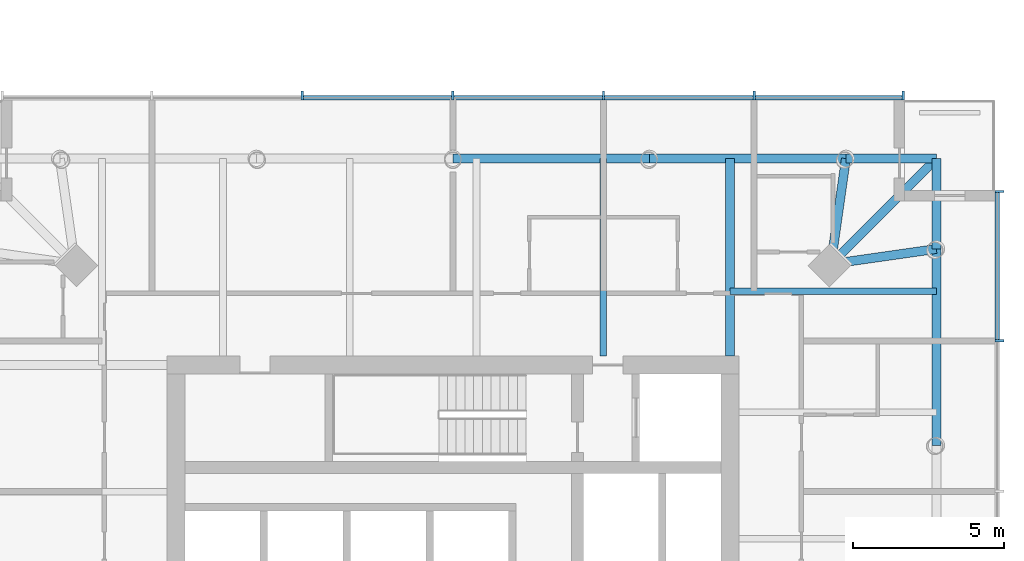
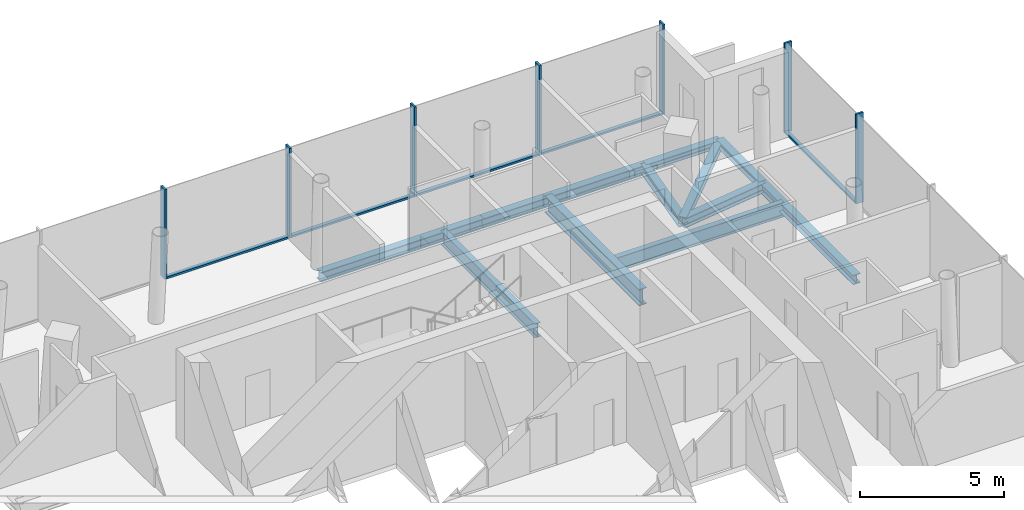
# One storey, part 6 of 27: 12 members, 11 beams, 2 elements without a shape of their own.
"""IFC4 building model written with IfcOpenShell, lengths in metres."""

import ifcopenshell
import ifcopenshell.guid

model = None  # the IFC model being written
_history = None  # IfcOwnerHistory: only IFC2X3 demands one
_inside = {}  # id of a spatial element -> (the spatial element, [elements in it])
_under = {}  # id of a project, library or spatial element -> (it, [spatial elements below it])
_declared = {}  # id of a project -> (the project, [libraries it declares])
_typed = {}  # id of a type object -> (the type object, [elements of that type])
_made_of = {}  # id of a material, layer set ... -> (it, [elements and type objects made of it])


def new_model(schema):
    """Start an empty IFC model of exactly this schema.

    Asked for "IFC4X3", IfcOpenShell would pick the latest addendum, in which some entities
    have other attributes; the version numbers below select the first issue.
    IFC2X3 requires an IfcOwnerHistory on every rooted entity: one is made here for all.
    """
    global model, _history
    if schema == "IFC4X3":
        model = ifcopenshell.file(schema_version=(4, 3, 0, 0))
    else:
        model = ifcopenshell.file(schema=schema)
    _inside.clear()
    _under.clear()
    _declared.clear()
    _typed.clear()
    _made_of.clear()
    _history = None
    if model.schema == "IFC2X3":
        org = make("IfcOrganization", Name="unknown")
        user = make(
            "IfcPersonAndOrganization",
            ThePerson=make("IfcPerson", FamilyName="unknown"),
            TheOrganization=org,
        )
        app = make(
            "IfcApplication",
            ApplicationDeveloper=org,
            Version="unknown",
            ApplicationFullName="unknown",
            ApplicationIdentifier="unknown",
        )
        _history = make(
            "IfcOwnerHistory",
            OwningUser=user,
            OwningApplication=app,
            ChangeAction="ADDED",
            CreationDate=0,
        )
    return model


def make(cls, **values):
    """One entity of the class cls with the attributes given. An attribute that is None is left unset."""
    return model.create_entity(
        cls, **{name: value for name, value in values.items() if value is not None}
    )


def rooted(cls, **values):
    """An entity with a GlobalId (a new one), such as an element, a storey or a relation."""
    return make(cls, GlobalId=ifcopenshell.guid.new(), OwnerHistory=_history, **values)


def si_unit(unit_type, name, prefix=None):
    """IfcSIUnit, for example si_unit("LENGTHUNIT", "METRE", prefix="MILLI")."""
    return make("IfcSIUnit", UnitType=unit_type, Prefix=prefix, Name=name)


def assignment(units):
    """IfcUnitAssignment: the units of a project."""
    return None if units is None else make("IfcUnitAssignment", Units=units)


def point(xyz):
    """IfcCartesianPoint."""
    return None if xyz is None else make("IfcCartesianPoint", Coordinates=xyz)


def direction(xyz):
    """IfcDirection."""
    return None if xyz is None else make("IfcDirection", DirectionRatios=xyz)


def frame(location, z_axis=None, x_axis=None):
    """IfcAxis2Placement3D, a coordinate frame: its origin and axes. An axis left out is left unset."""
    return make(
        "IfcAxis2Placement3D",
        Location=point(location),
        Axis=direction(z_axis),
        RefDirection=direction(x_axis),
    )


def frame_2d(location, x_axis=None):
    """IfcAxis2Placement2D, a coordinate frame in the plane: its origin and x axis."""
    return make(
        "IfcAxis2Placement2D", Location=point(location), RefDirection=direction(x_axis)
    )


def origin():
    """The frame at (0, 0, 0) with its axes left unset."""
    return frame((0.0, 0.0, 0.0))


def origin_2d():
    """The frame at (0, 0) in the plane with its x axis left unset."""
    return frame_2d((0.0, 0.0))


def place(relative_to, where):
    """IfcLocalPlacement: puts the frame where relative to a parent placement (None: the world)."""
    return make(
        "IfcLocalPlacement", PlacementRelTo=relative_to, RelativePlacement=where
    )


def context(
    kind, dimensions, precision=None, world=None, true_north=None, identifier=None
):
    """IfcGeometricRepresentationContext, for example the 3D "Model" context."""
    return make(
        "IfcGeometricRepresentationContext",
        ContextIdentifier=identifier,
        ContextType=kind,
        CoordinateSpaceDimension=dimensions,
        Precision=precision,
        WorldCoordinateSystem=world,
        TrueNorth=true_north,
    )


def subcontext(parent, identifier, kind, view, scale=None):
    """IfcGeometricRepresentationSubContext, for example "Body" below "Model"."""
    return make(
        "IfcGeometricRepresentationSubContext",
        ContextIdentifier=identifier,
        ContextType=kind,
        ParentContext=parent,
        TargetScale=scale,
        TargetView=view,
    )


def project(units=None, contexts=None):
    """IfcProject with its units and contexts."""
    return rooted(
        "IfcProject",
        Name="project",
        RepresentationContexts=contexts,
        UnitsInContext=assignment(units),
    )


def spatial(cls, under=None, at=None, **own):
    """A site, building, storey or space (cls), placed at a placement, below another one or the project."""
    s = rooted(cls, ObjectPlacement=at, **own)
    if under is not None:
        _under.setdefault(under.id(), (under, []))[1].append(s)
    return s


def profile(cls, at=None, kind="AREA", **sizes):
    """A parametric profile (cls). Its sizes go by their IFC names, for example OverallWidth=200.0."""
    return make(cls, ProfileType=kind, Position=at, **sizes)


def rectangle(**sizes):
    """IfcRectangleProfileDef."""
    return profile("IfcRectangleProfileDef", **sizes)


def i_section(**sizes):
    """IfcIShapeProfileDef."""
    return profile("IfcIShapeProfileDef", **sizes)


def extrude(swept, where, along, depth):
    """IfcExtrudedAreaSolid: the profile swept, set in the frame where, extruded along a direction by depth."""
    return make(
        "IfcExtrudedAreaSolid",
        SweptArea=swept,
        Position=where,
        ExtrudedDirection=direction(along),
        Depth=depth,
    )


def shape(context_of_items, identifier, shape_type, items):
    """IfcShapeRepresentation: the items that make up one representation, for example the "Body"."""
    return make(
        "IfcShapeRepresentation",
        ContextOfItems=context_of_items,
        RepresentationIdentifier=identifier,
        RepresentationType=shape_type,
        Items=items,
    )


def material(Name=None, Category=None):
    """IfcMaterial."""
    return make("IfcMaterial", Name=Name, Category=Category)


def material_profile(
    of_material, cross_section, Name=None, Category=None, Priority=None
):
    """IfcMaterialProfile: a cross section and its material."""
    return make(
        "IfcMaterialProfile",
        Name=Name,
        Material=of_material,
        Profile=cross_section,
        Priority=Priority,
        Category=Category,
    )


def profile_set(profiles, Name=None, composite=None):
    """IfcMaterialProfileSet."""
    return make(
        "IfcMaterialProfileSet",
        Name=Name,
        MaterialProfiles=profiles,
        CompositeProfile=composite,
    )


def made_of(thing, what):
    """Note that an element or type object is made of a material, layer set ...; save() writes the relation."""
    if what is not None:
        _made_of.setdefault(what.id(), (what, []))[1].append(thing)
    return thing


def type_object(cls, material=None, **own):
    """A type object (cls), such as IfcWallType, which elements share."""
    return made_of(rooted(cls, **own), material)


def element(
    cls,
    number,
    at=None,
    inside=None,
    cuts=None,
    type_object=None,
    material=None,
    context=None,
    identifier="Body",
    shape_type=None,
    held_by="IfcProductDefinitionShape",
    body=None,
    shapes=None,
    **own,
):
    """One element of the class cls, such as IfcWall. Its Tag is "e" and its number.

    at: its placement. inside: the storey or other place that contains it. cuts: it is an
    opening in that element (IfcRelVoidsElement). A single representation is given by context,
    identifier, shape_type and body (its items); several are given by shapes. held_by: the class
    of the entity that holds the representations. save() writes the other relations.
    """
    e = rooted(cls, Tag="e%d" % number, ObjectPlacement=at, **own)
    if body is not None:
        shapes = [shape(context, identifier, shape_type, body)]
    if shapes is not None:
        e.Representation = make(held_by, Representations=shapes)
    if inside is not None:
        _inside.setdefault(inside.id(), (inside, []))[1].append(e)
    if cuts is not None:
        rooted(
            "IfcRelVoidsElement", RelatingBuildingElement=cuts, RelatedOpeningElement=e
        )
    if type_object is not None:
        _typed.setdefault(type_object.id(), (type_object, []))[1].append(e)
    return made_of(e, material)


def aggregate(whole, parts):
    """IfcRelAggregates: a whole, such as a stair, and the parts it consists of."""
    return rooted("IfcRelAggregates", RelatingObject=whole, RelatedObjects=parts)


def save(model, path):
    """Write the relations noted so far, then the file.

    IfcRelAggregates (storeys below a building ...), IfcRelContainedInSpatialStructure (elements
    in a storey), IfcRelDefinesByType, IfcRelAssociatesMaterial and IfcRelDeclares: one each for
    every whole, place, type object, material and project.
    """
    for whole, parts in _under.values():
        aggregate(whole, parts)
    for where, things in _inside.values():
        rooted(
            "IfcRelContainedInSpatialStructure",
            RelatedElements=things,
            RelatingStructure=where,
        )
    for kind, things in _typed.values():
        rooted("IfcRelDefinesByType", RelatedObjects=things, RelatingType=kind)
    for what, things in _made_of.values():
        rooted("IfcRelAssociatesMaterial", RelatedObjects=things, RelatingMaterial=what)
    for by, libraries in _declared.values():
        rooted("IfcRelDeclares", RelatingContext=by, RelatedDefinitions=libraries)
    model.write(path)


model = new_model("IFC4")

# Units and contexts
model_context = context("Model", 3, precision=1e-05, world=origin(), true_north=direction((0.0, 1.0)))
body_context = subcontext(model_context, "Body", "Model", "MODEL_VIEW")
ifc_project = project(units=[si_unit("LENGTHUNIT", "METRE"), si_unit("AREAUNIT", "SQUARE_METRE"), si_unit("VOLUMEUNIT", "CUBIC_METRE"), si_unit("PLANEANGLEUNIT", "RADIAN"), si_unit("MASSUNIT", "GRAM", prefix="KILO")], contexts=[model_context])

# Site, building, storey
site_placement = place(None, origin())
site = spatial("IfcSite", under=ifc_project, at=site_placement, CompositionType="ELEMENT")
building_placement = place(site_placement, origin())
building = spatial("IfcBuilding", under=site, at=building_placement, Name="Ostroluk Exchange", CompositionType="ELEMENT")
storey_placement = place(building_placement, frame((0.0, 0.0, 89.39990234375)))
storey = spatial("IfcBuildingStorey", under=building, at=storey_placement, Name="L22", CompositionType="ELEMENT", Elevation=89.39990234375)

# Beams
ifc_material_1 = material(Name="Steel S355", Category="steel")
ifc_material_profile_1 = material_profile(ifc_material_1, i_section(OverallWidth=0.300048828125, OverallDepth=0.300048828125, WebThickness=0.010986328125, FlangeThickness=0.01904296875, FilletRadius=0.027099609375, at=origin_2d()), Name="HEB 300")
ifc_profile_set_1 = profile_set([ifc_material_profile_1], Name="Steel S355")
beam_type_1 = type_object("IfcBeamType", Name="Balcony beam HEB 300", PredefinedType="BEAM", material=ifc_profile_set_1)
for number, where, z_axis, x_axis, name in (
    (1, (133.0517578125, 59.0517578125, -0.349853515625), (0.0, 1.0, 0.0), (-1.0, 0.0, 0.0), "T2 east balcony beam a"),
    (2, (130.0517578125, 62.0517578125, -0.349853515625), (1.0, 0.0, 0.0), (0.0, 1.0, 0.0), "T2 east balcony beam b"),
):
    element("IfcBeam", number, at=place(storey_placement, frame(where, z_axis=z_axis, x_axis=x_axis)), inside=storey, type_object=beam_type_1, Name=name, PredefinedType="BEAM", context=body_context, shape_type="SweptSolid", body=[
        extrude(i_section(OverallWidth=0.300048828125, OverallDepth=0.300048828125, WebThickness=0.010986328125, FlangeThickness=0.01904296875, FilletRadius=0.027099609375, at=origin_2d()), origin(), (0.0, 0.0, 1.0), 3.0),
    ])
beam_1_placement = place(storey_placement, frame((129.5517578125, 58.5517578125, -0.349853515625), z_axis=(0.707106781187, 0.707106781187, 0.0), x_axis=(-0.707106781187, 0.707106781187, 0.0)))
element("IfcBeam", 3, at=beam_1_placement, inside=storey, type_object=beam_type_1, Name="T2 east balcony beam c", PredefinedType="BEAM", context=body_context, shape_type="SweptSolid", body=[
    extrude(i_section(OverallWidth=0.300048828125, OverallDepth=0.300048828125, WebThickness=0.010986328125, FlangeThickness=0.01904296875, FilletRadius=0.027099609375, at=origin_2d()), origin(), (0.0, 0.0, 1.0), 4.94970703125),
])
ifc_material_2 = material(Name="Steel S355", Category="steel")
ifc_material_profile_2 = material_profile(ifc_material_2, i_section(OverallWidth=0.300048828125, OverallDepth=0.39990234375, WebThickness=0.013427734375, FlangeThickness=0.02392578125, FilletRadius=0.027099609375, at=origin_2d()), Name="HEB 400")
ifc_profile_set_2 = profile_set([ifc_material_profile_2], Name="Steel S355")
beam_type_2 = type_object("IfcBeamType", Name="Corner edge beam HEB 400", PredefinedType="SPANDREL", material=ifc_profile_set_2)
for number, where, z_axis, x_axis, name in (
    (4, (129.5517578125, 58.5517578125, -0.39990234375), (0.989949493661, 0.141421356237, 0.0), (-0.141421356237, 0.989949493661, 0.0), "T2 east corner edge beam a"),
    (5, (129.5517578125, 58.5517578125, -0.39990234375), (0.141421356237, 0.989949493661, 0.0), (-0.989949493661, 0.141421356237, 0.0), "T2 east corner edge beam b"),
):
    element("IfcBeam", number, at=place(storey_placement, frame(where, z_axis=z_axis, x_axis=x_axis)), inside=storey, type_object=beam_type_2, Name=name, PredefinedType="SPANDREL", context=body_context, shape_type="SweptSolid", body=[
        extrude(i_section(OverallWidth=0.300048828125, OverallDepth=0.39990234375, WebThickness=0.013427734375, FlangeThickness=0.02392578125, FilletRadius=0.027099609375, at=origin_2d()), origin(), (0.0, 0.0, 1.0), 3.53564453125),
    ])
ifc_material_3 = material(Name="Steel S355", Category="steel")
ifc_material_profile_3 = material_profile(ifc_material_3, i_section(OverallWidth=0.219970703125, OverallDepth=0.60009765625, WebThickness=0.011962890625, FlangeThickness=0.01904296875, FilletRadius=0.02392578125, at=origin_2d()), Name="IPE 600")
ifc_profile_set_3 = profile_set([ifc_material_profile_3], Name="Steel S355")
beam_type_3 = type_object("IfcBeamType", Name="Floor beam IPE 600", PredefinedType="BEAM", material=ifc_profile_set_3)
beam_2_placement = place(storey_placement, frame((126.199951171875, 57.651611328125, -0.5), z_axis=(1.0, 0.0, 0.0), x_axis=(0.0, 1.0, 0.0)))
element("IfcBeam", 6, at=beam_2_placement, inside=storey, type_object=beam_type_3, Name="T2 east floor beam 5", PredefinedType="BEAM", context=body_context, shape_type="SweptSolid", body=[
    extrude(i_section(OverallWidth=0.219970703125, OverallDepth=0.60009765625, WebThickness=0.011962890625, FlangeThickness=0.01904296875, FilletRadius=0.02392578125, at=origin_2d()), origin(), (0.0, 0.0, 1.0), 6.851806640625),
])
beam_3_placement = place(storey_placement, frame((121.991455078125, 55.5, -0.5), z_axis=(0.0, 1.0, 0.0), x_axis=(-1.0, 0.0, 0.0)))
element("IfcBeam", 7, at=beam_3_placement, inside=storey, type_object=beam_type_3, Name="T2 north floor beam 1", PredefinedType="BEAM", context=body_context, shape_type="SweptSolid", body=[
    extrude(i_section(OverallWidth=0.219970703125, OverallDepth=0.60009765625, WebThickness=0.011962890625, FlangeThickness=0.01904296875, FilletRadius=0.02392578125, at=origin_2d()), origin(), (0.0, 0.0, 1.0), 6.5517578125),
])
ifc_material_4 = material(Name="Steel S355", Category="steel")
ifc_material_profile_4 = material_profile(ifc_material_4, i_section(OverallWidth=0.300048828125, OverallDepth=0.699951171875, WebThickness=0.01708984375, FlangeThickness=0.031982421875, FilletRadius=0.027099609375, at=origin_2d()), Name="HEB 700")
ifc_profile_set_4 = profile_set([ifc_material_profile_4], Name="Steel S355")
beam_type_4 = type_object("IfcBeamType", Name="Girder HEB 700", PredefinedType="BEAM", material=ifc_profile_set_4)
beam_4_placement = place(storey_placement, frame((126.199951171875, 55.5, -0.5498046875), z_axis=(0.0, 1.0, 0.0), x_axis=(-1.0, 0.0, 0.0)))
element("IfcBeam", 8, at=beam_4_placement, inside=storey, type_object=beam_type_4, Name="T2 east girder", PredefinedType="BEAM", context=body_context, shape_type="SweptSolid", body=[
    extrude(i_section(OverallWidth=0.300048828125, OverallDepth=0.699951171875, WebThickness=0.01708984375, FlangeThickness=0.031982421875, FilletRadius=0.027099609375, at=origin_2d()), origin(), (0.0, 0.0, 1.0), 6.5517578125),
])
ifc_material_5 = material(Name="Steel S355", Category="steel")
ifc_material_profile_5 = material_profile(ifc_material_5, i_section(OverallWidth=0.300048828125, OverallDepth=0.39990234375, WebThickness=0.013427734375, FlangeThickness=0.02392578125, FilletRadius=0.027099609375, at=origin_2d()), Name="HEB 400")
ifc_profile_set_5 = profile_set([ifc_material_profile_5], Name="Steel S355")
beam_type_5 = type_object("IfcBeamType", Name="Moment-connected edge beam HEB 400", PredefinedType="SPANDREL", material=ifc_profile_set_5)
for number, where, z_axis, x_axis, name in (
    (9, (133.0517578125, 52.52587890625, -0.39990234375), (0.0, 1.0, 0.0), (-1.0, 0.0, 0.0), "T2 east edge beam 4"),
    (10, (130.0517578125, 62.0517578125, -0.39990234375), (-1.0, 0.0, 0.0), (0.0, -1.0, 0.0), "T2 north edge beam 1"),
    (11, (123.52587890625, 62.0517578125, -0.39990234375), (-1.0, 0.0, 0.0), (0.0, -1.0, 0.0), "T2 north edge beam 2"),
):
    element("IfcBeam", number, at=place(storey_placement, frame(where, z_axis=z_axis, x_axis=x_axis)), inside=storey, type_object=beam_type_5, Name=name, PredefinedType="SPANDREL", context=body_context, shape_type="SweptSolid", body=[
        extrude(i_section(OverallWidth=0.300048828125, OverallDepth=0.39990234375, WebThickness=0.013427734375, FlangeThickness=0.02392578125, FilletRadius=0.027099609375, at=origin_2d()), origin(), (0.0, 0.0, 1.0), 6.52587890625),
    ])

# Curtain wall, member
ifc_material_6 = material(Name="Laminated clear glass", Category="glass")
curtain_wall_type = type_object("IfcCurtainWallType", Name="Hotel guest floor facade", PredefinedType="USERDEFINED", material=ifc_material_6)
curtain_wall_1_placement = place(storey_placement, origin())
curtain_wall_1 = element("IfcCurtainWall", 12, at=curtain_wall_1_placement, inside=storey, type_object=curtain_wall_type, Name="Hotel tower east facade L22", ObjectType="UNITISED CURTAIN WALL", PredefinedType="USERDEFINED")
ifc_material_7 = material(Name="Aluminium mullion", Category="aluminium")
ifc_material_profile_6 = material_profile(ifc_material_7, rectangle(XDim=0.14990234375, YDim=0.080078125, at=origin_2d()), Name="Sill transom 80 x 150")
ifc_profile_set_6 = profile_set([ifc_material_profile_6], Name="Aluminium mullion")
member_type_1 = type_object("IfcMemberType", Name="Sill transom 80 x 150", PredefinedType="USERDEFINED", material=ifc_profile_set_6)
member_1_placement = place(storey_placement, frame((135.074951171875, 56.0400390625, 0.0400390625), z_axis=(0.0, 1.0, 0.0), x_axis=(-1.0, 0.0, 0.0)))
member_1 = element("IfcMember", 13, at=member_1_placement, type_object=member_type_1, Name="CW-H1 transom 6.1", ObjectType="TRANSOM", PredefinedType="USERDEFINED", context=body_context, shape_type="SweptSolid", body=[
    extrude(rectangle(XDim=0.14990234375, YDim=0.080078125, at=origin_2d()), origin(), (0.0, 0.0, 1.0), 4.8798828125),
])

# Curtain wall, members
curtain_wall_2_placement = place(storey_placement, origin())
curtain_wall_2 = element("IfcCurtainWall", 14, at=curtain_wall_2_placement, inside=storey, type_object=curtain_wall_type, Name="Hotel tower north facade L22", ObjectType="UNITISED CURTAIN WALL", PredefinedType="USERDEFINED")
member_2_placement = place(storey_placement, frame((131.919921875, 64.074951171875, 0.0400390625), z_axis=(-1.0, 0.0, 0.0), x_axis=(0.0, -1.0, 0.0)))
member_2 = element("IfcMember", 15, at=member_2_placement, type_object=member_type_1, Name="CW-H1 transom 1.1", ObjectType="TRANSOM", PredefinedType="USERDEFINED", context=body_context, shape_type="SweptSolid", body=[
    extrude(rectangle(XDim=0.14990234375, YDim=0.080078125, at=origin_2d()), origin(), (0.0, 0.0, 1.0), 4.8798828125),
])
member_3_placement = place(storey_placement, frame((126.9599609375, 64.074951171875, 0.0400390625), z_axis=(-1.0, 0.0, 0.0), x_axis=(0.0, -1.0, 0.0)))
member_3 = element("IfcMember", 16, at=member_3_placement, type_object=member_type_1, Name="CW-H1 transom 2.1", ObjectType="TRANSOM", PredefinedType="USERDEFINED", context=body_context, shape_type="SweptSolid", body=[
    extrude(rectangle(XDim=0.14990234375, YDim=0.080078125, at=origin_2d()), origin(), (0.0, 0.0, 1.0), 4.919921875),
])
member_4_placement = place(storey_placement, frame((121.9599609375, 64.074951171875, 0.0400390625), z_axis=(-1.0, 0.0, 0.0), x_axis=(0.0, -1.0, 0.0)))
member_4 = element("IfcMember", 17, at=member_4_placement, type_object=member_type_1, Name="CW-H1 transom 3.1", ObjectType="TRANSOM", PredefinedType="USERDEFINED", context=body_context, shape_type="SweptSolid", body=[
    extrude(rectangle(XDim=0.14990234375, YDim=0.080078125, at=origin_2d()), origin(), (0.0, 0.0, 1.0), 4.919921875),
])
member_5_placement = place(storey_placement, frame((116.9599609375, 64.074951171875, 0.0400390625), z_axis=(-1.0, 0.0, 0.0), x_axis=(0.0, -1.0, 0.0)))
member_5 = element("IfcMember", 18, at=member_5_placement, type_object=member_type_1, Name="CW-H1 transom 4.1", ObjectType="TRANSOM", PredefinedType="USERDEFINED", context=body_context, shape_type="SweptSolid", body=[
    extrude(rectangle(XDim=0.14990234375, YDim=0.080078125, at=origin_2d()), origin(), (0.0, 0.0, 1.0), 4.919921875),
])

# Member
ifc_material_8 = material(Name="Aluminium mullion with limestone facing", Category="masonry")
ifc_material_profile_7 = material_profile(ifc_material_8, rectangle(XDim=0.300048828125, YDim=0.080078125, at=origin_2d()), Name="Tracery mullion 80 x 300")
ifc_profile_set_7 = profile_set([ifc_material_profile_7], Name="Aluminium mullion with limestone facing")
member_type_2 = type_object("IfcMemberType", Name="Tracery mullion 80 x 300", PredefinedType="MULLION", material=ifc_profile_set_7)
member_6_placement = place(storey_placement, frame((135.14990234375, 56.0, 0.0), z_axis=(0.0, 0.0, 1.0), x_axis=(-1.0, 0.0, 0.0)))
member_6 = element("IfcMember", 19, at=member_6_placement, type_object=member_type_2, Name="CW-H1 mullion 6", PredefinedType="MULLION", context=body_context, shape_type="SweptSolid", body=[
    extrude(rectangle(XDim=0.300048828125, YDim=0.080078125, at=origin_2d()), origin(), (0.0, 0.0, 1.0), 3.800048828125),
])

member_7_placement = place(storey_placement, frame((135.14990234375, 60.9599609375, 0.0), z_axis=(0.0, 0.0, 1.0), x_axis=(-1.0, 0.0, 0.0)))
member_7 = element("IfcMember", 20, at=member_7_placement, type_object=member_type_2, Name="CW-H1 mullion 7", PredefinedType="MULLION", context=body_context, shape_type="SweptSolid", body=[
    extrude(rectangle(XDim=0.300048828125, YDim=0.080078125, at=origin_2d()), origin(), (0.0, 0.0, 1.0), 3.800048828125),
])

aggregate(curtain_wall_1, [member_6, member_7, member_1])

member_8_placement = place(storey_placement, frame((131.9599609375, 64.14990234375, 0.0), z_axis=(0.0, 0.0, 1.0), x_axis=(0.0, -1.0, 0.0)))
member_8 = element("IfcMember", 21, at=member_8_placement, type_object=member_type_2, Name="CW-H1 mullion 1", PredefinedType="MULLION", context=body_context, shape_type="SweptSolid", body=[
    extrude(rectangle(XDim=0.300048828125, YDim=0.080078125, at=origin_2d()), origin(), (0.0, 0.0, 1.0), 3.800048828125),
])

member_9_placement = place(storey_placement, frame((127.0, 64.14990234375, 0.0), z_axis=(0.0, 0.0, 1.0), x_axis=(0.0, -1.0, 0.0)))
member_9 = element("IfcMember", 22, at=member_9_placement, type_object=member_type_2, Name="CW-H1 mullion 2", PredefinedType="MULLION", context=body_context, shape_type="SweptSolid", body=[
    extrude(rectangle(XDim=0.300048828125, YDim=0.080078125, at=origin_2d()), origin(), (0.0, 0.0, 1.0), 3.800048828125),
])

member_10_placement = place(storey_placement, frame((122.0, 64.14990234375, 0.0), z_axis=(0.0, 0.0, 1.0), x_axis=(0.0, -1.0, 0.0)))
member_10 = element("IfcMember", 23, at=member_10_placement, type_object=member_type_2, Name="CW-H1 mullion 3", PredefinedType="MULLION", context=body_context, shape_type="SweptSolid", body=[
    extrude(rectangle(XDim=0.300048828125, YDim=0.080078125, at=origin_2d()), origin(), (0.0, 0.0, 1.0), 3.800048828125),
])

member_11_placement = place(storey_placement, frame((117.0, 64.14990234375, 0.0), z_axis=(0.0, 0.0, 1.0), x_axis=(0.0, -1.0, 0.0)))
member_11 = element("IfcMember", 24, at=member_11_placement, type_object=member_type_2, Name="CW-H1 mullion 4", PredefinedType="MULLION", context=body_context, shape_type="SweptSolid", body=[
    extrude(rectangle(XDim=0.300048828125, YDim=0.080078125, at=origin_2d()), origin(), (0.0, 0.0, 1.0), 3.800048828125),
])

member_12_placement = place(storey_placement, frame((112.0, 64.14990234375, 0.0), z_axis=(0.0, 0.0, 1.0), x_axis=(0.0, -1.0, 0.0)))
member_12 = element("IfcMember", 25, at=member_12_placement, type_object=member_type_2, Name="CW-H1 mullion 5", PredefinedType="MULLION", context=body_context, shape_type="SweptSolid", body=[
    extrude(rectangle(XDim=0.300048828125, YDim=0.080078125, at=origin_2d()), origin(), (0.0, 0.0, 1.0), 3.800048828125),
])

aggregate(curtain_wall_2, [member_8, member_9, member_10, member_11, member_12, member_2, member_3, member_4, member_5])

save(model, "model.ifc")
